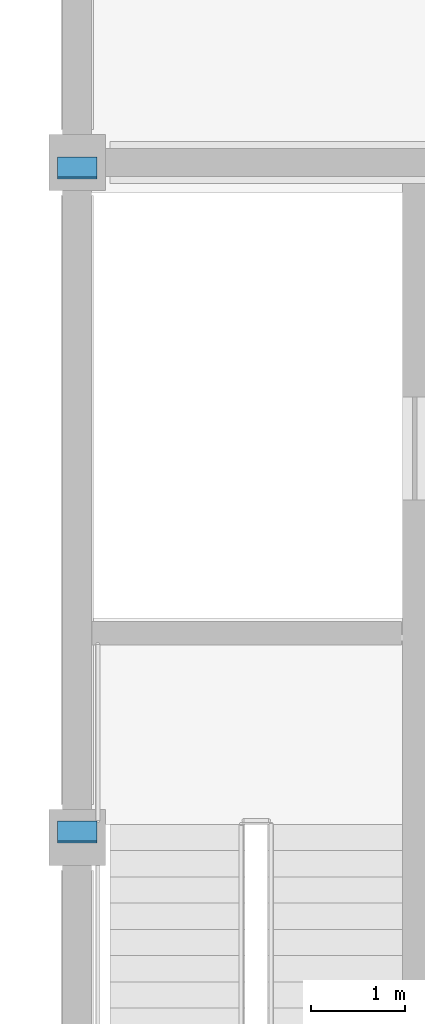
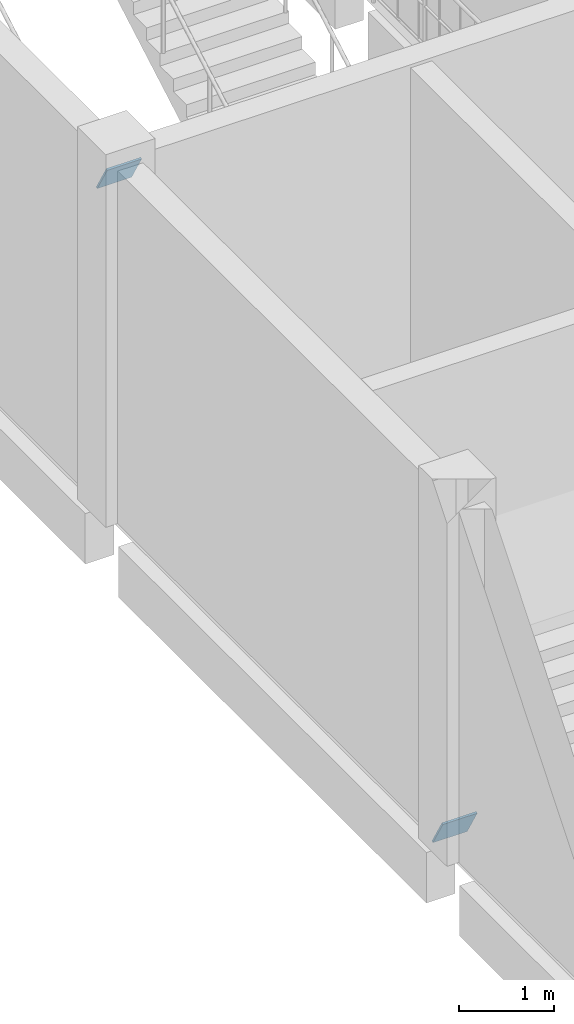
# One storey, part 60 of 99: 2 plates.
"""IFC4 building model written with IfcOpenShell, lengths in metres."""

from ifc_helpers import new_model, si_unit, direction, frame, origin, origin_2d, place, context, subcontext, project, spatial, rectangle, extrude, material, layer, layer_set, type_object, element, save


model = new_model("IFC4")

# Units and contexts
model_context = context("Model", 3, precision=1e-05, world=origin(), true_north=direction((0.0, 1.0)))
body_context = subcontext(model_context, "Body", "Model", "MODEL_VIEW")
ifc_project = project(units=[si_unit("LENGTHUNIT", "METRE"), si_unit("AREAUNIT", "SQUARE_METRE"), si_unit("VOLUMEUNIT", "CUBIC_METRE"), si_unit("PLANEANGLEUNIT", "RADIAN"), si_unit("MASSUNIT", "GRAM", prefix="KILO")], contexts=[model_context])

# Site, building, storey
site_placement = place(None, origin())
site = spatial("IfcSite", under=ifc_project, at=site_placement, CompositionType="ELEMENT")
building_placement = place(site_placement, origin())
building = spatial("IfcBuilding", under=site, at=building_placement, Name="Vesperath Aquatics Centre", CompositionType="ELEMENT")
storey_placement = place(building_placement, frame((0.0, 0.0, 5.39990234375)))
storey = spatial("IfcBuildingStorey", under=building, at=storey_placement, Name="L01", CompositionType="ELEMENT", Elevation=5.39990234375)

# Plates
ifc_material = material(Name="Steel Q355D", Category="steel")
ifc_layer = layer(ifc_material, 0.02392578125)
ifc_layer_set = layer_set([ifc_layer], Name="Steel Q355D")
plate_type = type_object("IfcPlateType", Name="PT-TN04", PredefinedType="SHEET", material=ifc_layer_set)
for number, where, z_axis, x_axis, name in (
    (1, (0.0, 36.048583984375, 0.17822265625), (0.0, 0.863778900717, 0.503871025835), (-1.0, 0.0, 0.0), "Truss Node Cap Plate TN04"),
    (2, (0.0, 43.131103515625, 4.309814453125), (0.0, 0.863778900717, 0.503871025835), (-1.0, 0.0, 0.0), "Truss Node Cap Plate TN04"),
):
    element("IfcPlate", number, at=place(storey_placement, frame(where, z_axis=z_axis, x_axis=x_axis)), inside=storey, type_object=plate_type, Name=name, PredefinedType="SHEET", context=body_context, shape_type="SweptSolid", body=[
        extrude(rectangle(XDim=0.419921875, YDim=0.419921875, at=origin_2d()), origin(), (0.0, 0.0, 1.0), 0.02392578125),
    ])

save(model, "model.ifc")
